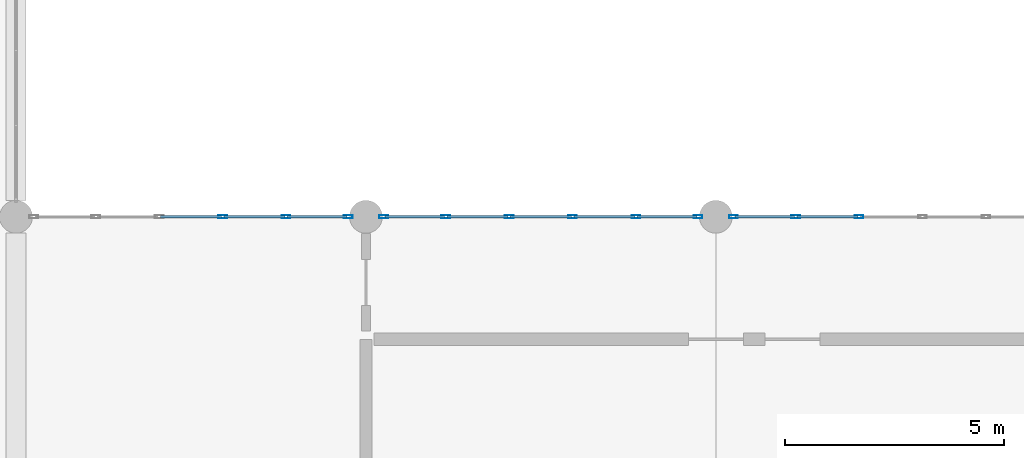
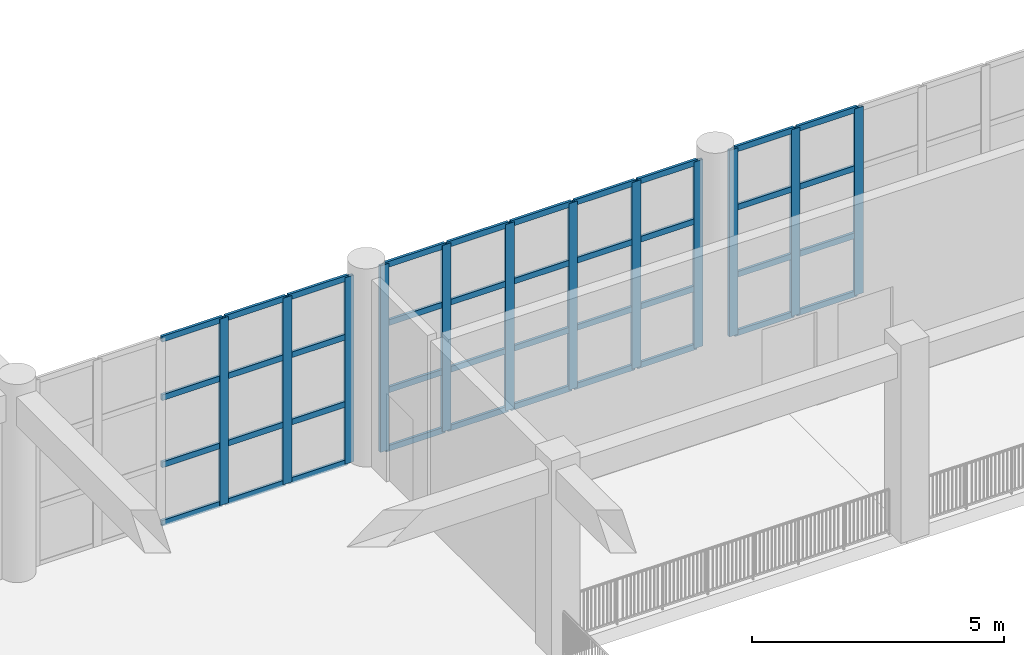
# One storey, part 11 of 101: 52 members, 3 elements without a shape of their own.
"""IFC4 building model written with IfcOpenShell, lengths in metres."""

import ifcopenshell
import ifcopenshell.guid

model = None  # the IFC model being written
_history = None  # IfcOwnerHistory: only IFC2X3 demands one
_inside = {}  # id of a spatial element -> (the spatial element, [elements in it])
_under = {}  # id of a project, library or spatial element -> (it, [spatial elements below it])
_declared = {}  # id of a project -> (the project, [libraries it declares])
_typed = {}  # id of a type object -> (the type object, [elements of that type])
_made_of = {}  # id of a material, layer set ... -> (it, [elements and type objects made of it])


def new_model(schema):
    """Start an empty IFC model of exactly this schema.

    Asked for "IFC4X3", IfcOpenShell would pick the latest addendum, in which some entities
    have other attributes; the version numbers below select the first issue.
    IFC2X3 requires an IfcOwnerHistory on every rooted entity: one is made here for all.
    """
    global model, _history
    if schema == "IFC4X3":
        model = ifcopenshell.file(schema_version=(4, 3, 0, 0))
    else:
        model = ifcopenshell.file(schema=schema)
    _inside.clear()
    _under.clear()
    _declared.clear()
    _typed.clear()
    _made_of.clear()
    _history = None
    if model.schema == "IFC2X3":
        org = make("IfcOrganization", Name="unknown")
        user = make(
            "IfcPersonAndOrganization",
            ThePerson=make("IfcPerson", FamilyName="unknown"),
            TheOrganization=org,
        )
        app = make(
            "IfcApplication",
            ApplicationDeveloper=org,
            Version="unknown",
            ApplicationFullName="unknown",
            ApplicationIdentifier="unknown",
        )
        _history = make(
            "IfcOwnerHistory",
            OwningUser=user,
            OwningApplication=app,
            ChangeAction="ADDED",
            CreationDate=0,
        )
    return model


def make(cls, **values):
    """One entity of the class cls with the attributes given. An attribute that is None is left unset."""
    return model.create_entity(
        cls, **{name: value for name, value in values.items() if value is not None}
    )


def rooted(cls, **values):
    """An entity with a GlobalId (a new one), such as an element, a storey or a relation."""
    return make(cls, GlobalId=ifcopenshell.guid.new(), OwnerHistory=_history, **values)


def si_unit(unit_type, name, prefix=None):
    """IfcSIUnit, for example si_unit("LENGTHUNIT", "METRE", prefix="MILLI")."""
    return make("IfcSIUnit", UnitType=unit_type, Prefix=prefix, Name=name)


def assignment(units):
    """IfcUnitAssignment: the units of a project."""
    return None if units is None else make("IfcUnitAssignment", Units=units)


def point(xyz):
    """IfcCartesianPoint."""
    return None if xyz is None else make("IfcCartesianPoint", Coordinates=xyz)


def direction(xyz):
    """IfcDirection."""
    return None if xyz is None else make("IfcDirection", DirectionRatios=xyz)


def frame(location, z_axis=None, x_axis=None):
    """IfcAxis2Placement3D, a coordinate frame: its origin and axes. An axis left out is left unset."""
    return make(
        "IfcAxis2Placement3D",
        Location=point(location),
        Axis=direction(z_axis),
        RefDirection=direction(x_axis),
    )


def frame_2d(location, x_axis=None):
    """IfcAxis2Placement2D, a coordinate frame in the plane: its origin and x axis."""
    return make(
        "IfcAxis2Placement2D", Location=point(location), RefDirection=direction(x_axis)
    )


def origin():
    """The frame at (0, 0, 0) with its axes left unset."""
    return frame((0.0, 0.0, 0.0))


def origin_2d():
    """The frame at (0, 0) in the plane with its x axis left unset."""
    return frame_2d((0.0, 0.0))


def place(relative_to, where):
    """IfcLocalPlacement: puts the frame where relative to a parent placement (None: the world)."""
    return make(
        "IfcLocalPlacement", PlacementRelTo=relative_to, RelativePlacement=where
    )


def context(
    kind, dimensions, precision=None, world=None, true_north=None, identifier=None
):
    """IfcGeometricRepresentationContext, for example the 3D "Model" context."""
    return make(
        "IfcGeometricRepresentationContext",
        ContextIdentifier=identifier,
        ContextType=kind,
        CoordinateSpaceDimension=dimensions,
        Precision=precision,
        WorldCoordinateSystem=world,
        TrueNorth=true_north,
    )


def subcontext(parent, identifier, kind, view, scale=None):
    """IfcGeometricRepresentationSubContext, for example "Body" below "Model"."""
    return make(
        "IfcGeometricRepresentationSubContext",
        ContextIdentifier=identifier,
        ContextType=kind,
        ParentContext=parent,
        TargetScale=scale,
        TargetView=view,
    )


def project(units=None, contexts=None):
    """IfcProject with its units and contexts."""
    return rooted(
        "IfcProject",
        Name="project",
        RepresentationContexts=contexts,
        UnitsInContext=assignment(units),
    )


def spatial(cls, under=None, at=None, **own):
    """A site, building, storey or space (cls), placed at a placement, below another one or the project."""
    s = rooted(cls, ObjectPlacement=at, **own)
    if under is not None:
        _under.setdefault(under.id(), (under, []))[1].append(s)
    return s


def profile(cls, at=None, kind="AREA", **sizes):
    """A parametric profile (cls). Its sizes go by their IFC names, for example OverallWidth=200.0."""
    return make(cls, ProfileType=kind, Position=at, **sizes)


def hollow_rectangle(**sizes):
    """IfcRectangleHollowProfileDef."""
    return profile("IfcRectangleHollowProfileDef", **sizes)


def extrude(swept, where, along, depth):
    """IfcExtrudedAreaSolid: the profile swept, set in the frame where, extruded along a direction by depth."""
    return make(
        "IfcExtrudedAreaSolid",
        SweptArea=swept,
        Position=where,
        ExtrudedDirection=direction(along),
        Depth=depth,
    )


def shape(context_of_items, identifier, shape_type, items):
    """IfcShapeRepresentation: the items that make up one representation, for example the "Body"."""
    return make(
        "IfcShapeRepresentation",
        ContextOfItems=context_of_items,
        RepresentationIdentifier=identifier,
        RepresentationType=shape_type,
        Items=items,
    )


def material(Name=None, Category=None):
    """IfcMaterial."""
    return make("IfcMaterial", Name=Name, Category=Category)


def material_profile(
    of_material, cross_section, Name=None, Category=None, Priority=None
):
    """IfcMaterialProfile: a cross section and its material."""
    return make(
        "IfcMaterialProfile",
        Name=Name,
        Material=of_material,
        Profile=cross_section,
        Priority=Priority,
        Category=Category,
    )


def profile_set(profiles, Name=None, composite=None):
    """IfcMaterialProfileSet."""
    return make(
        "IfcMaterialProfileSet",
        Name=Name,
        MaterialProfiles=profiles,
        CompositeProfile=composite,
    )


def made_of(thing, what):
    """Note that an element or type object is made of a material, layer set ...; save() writes the relation."""
    if what is not None:
        _made_of.setdefault(what.id(), (what, []))[1].append(thing)
    return thing


def type_object(cls, material=None, **own):
    """A type object (cls), such as IfcWallType, which elements share."""
    return made_of(rooted(cls, **own), material)


def element(
    cls,
    number,
    at=None,
    inside=None,
    cuts=None,
    type_object=None,
    material=None,
    context=None,
    identifier="Body",
    shape_type=None,
    held_by="IfcProductDefinitionShape",
    body=None,
    shapes=None,
    **own,
):
    """One element of the class cls, such as IfcWall. Its Tag is "e" and its number.

    at: its placement. inside: the storey or other place that contains it. cuts: it is an
    opening in that element (IfcRelVoidsElement). A single representation is given by context,
    identifier, shape_type and body (its items); several are given by shapes. held_by: the class
    of the entity that holds the representations. save() writes the other relations.
    """
    e = rooted(cls, Tag="e%d" % number, ObjectPlacement=at, **own)
    if body is not None:
        shapes = [shape(context, identifier, shape_type, body)]
    if shapes is not None:
        e.Representation = make(held_by, Representations=shapes)
    if inside is not None:
        _inside.setdefault(inside.id(), (inside, []))[1].append(e)
    if cuts is not None:
        rooted(
            "IfcRelVoidsElement", RelatingBuildingElement=cuts, RelatedOpeningElement=e
        )
    if type_object is not None:
        _typed.setdefault(type_object.id(), (type_object, []))[1].append(e)
    return made_of(e, material)


def aggregate(whole, parts):
    """IfcRelAggregates: a whole, such as a stair, and the parts it consists of."""
    return rooted("IfcRelAggregates", RelatingObject=whole, RelatedObjects=parts)


def save(model, path):
    """Write the relations noted so far, then the file.

    IfcRelAggregates (storeys below a building ...), IfcRelContainedInSpatialStructure (elements
    in a storey), IfcRelDefinesByType, IfcRelAssociatesMaterial and IfcRelDeclares: one each for
    every whole, place, type object, material and project.
    """
    for whole, parts in _under.values():
        aggregate(whole, parts)
    for where, things in _inside.values():
        rooted(
            "IfcRelContainedInSpatialStructure",
            RelatedElements=things,
            RelatingStructure=where,
        )
    for kind, things in _typed.values():
        rooted("IfcRelDefinesByType", RelatedObjects=things, RelatingType=kind)
    for what, things in _made_of.values():
        rooted("IfcRelAssociatesMaterial", RelatedObjects=things, RelatingMaterial=what)
    for by, libraries in _declared.values():
        rooted("IfcRelDeclares", RelatingContext=by, RelatedDefinitions=libraries)
    model.write(path)


model = new_model("IFC4")

# Units and contexts
model_context = context("Model", 3, precision=1e-05, world=origin(), true_north=direction((0.0, 1.0)))
body_context = subcontext(model_context, "Body", "Model", "MODEL_VIEW")
ifc_project = project(units=[si_unit("LENGTHUNIT", "METRE"), si_unit("AREAUNIT", "SQUARE_METRE"), si_unit("VOLUMEUNIT", "CUBIC_METRE"), si_unit("PLANEANGLEUNIT", "RADIAN"), si_unit("MASSUNIT", "GRAM", prefix="KILO")], contexts=[model_context])

# Site, building, storey
site_placement = place(None, origin())
site = spatial("IfcSite", under=ifc_project, at=site_placement, CompositionType="ELEMENT")
building_placement = place(site_placement, origin())
building = spatial("IfcBuilding", under=site, at=building_placement, Name="Zantavel Square City Hall", CompositionType="ELEMENT")
storey_placement = place(building_placement, frame((0.0, 0.0, 5.39990234375)))
storey = spatial("IfcBuildingStorey", under=building, at=storey_placement, Name="L02", CompositionType="ELEMENT", Elevation=5.39990234375)

# Curtain wall, members
ifc_material = material(Name="Anodised aluminium 6063-T6", Category="aluminium")
curtain_wall_type = type_object("IfcCurtainWallType", Name="Curtain Wall CRT 7250x4520", PredefinedType="USERDEFINED", material=ifc_material)
curtain_wall_1_placement = place(storey_placement, origin())
curtain_wall_1 = element("IfcCurtainWall", 1, at=curtain_wall_1_placement, inside=storey, type_object=curtain_wall_type, Name="L02 Glazed Curtain Wall CW-L02-073", ObjectType="GLAZED CURTAIN WALL", PredefinedType="USERDEFINED")
ifc_material_profile_1 = material_profile(ifc_material, hollow_rectangle(XDim=0.070068359375, YDim=0.199951171875, WallThickness=0.00439453125, at=origin_2d()), Name="ALU 70x200x4.5")
ifc_profile_set_1 = profile_set([ifc_material_profile_1], Name="Anodised aluminium 6063-T6")
member_type_1 = type_object("IfcMemberType", Name="CW Heavy Hall Mullion ALU 70x200x4.5", PredefinedType="MULLION", material=ifc_profile_set_1)
member_1_placement = place(storey_placement, frame((20.72509765625, 38.0, 0.0), z_axis=(0.0, 0.0, 1.0), x_axis=(0.0, 1.0, 0.0)))
member_1 = element("IfcMember", 2, at=member_1_placement, type_object=member_type_1, Name="CW-073 mullion 4", PredefinedType="MULLION", context=body_context, shape_type="SweptSolid", body=[
    extrude(hollow_rectangle(XDim=0.070068359375, YDim=0.199951171875, WallThickness=0.00439453125, at=origin_2d()), origin(), (0.0, 0.0, 1.0), 4.52001953125),
])
member_2_placement = place(storey_placement, frame((22.175048828125, 38.0, 0.0), z_axis=(0.0, 0.0, 1.0), x_axis=(0.0, 1.0, 0.0)))
member_2 = element("IfcMember", 3, at=member_2_placement, type_object=member_type_1, Name="CW-073 mullion 5", PredefinedType="MULLION", context=body_context, shape_type="SweptSolid", body=[
    extrude(hollow_rectangle(XDim=0.070068359375, YDim=0.199951171875, WallThickness=0.00439453125, at=origin_2d()), origin(), (0.0, 0.0, 1.0), 4.52001953125),
])
member_3_placement = place(storey_placement, frame((23.594970703125, 38.0, 0.0), z_axis=(0.0, 0.0, 1.0), x_axis=(0.0, 1.0, 0.0)))
member_3 = element("IfcMember", 4, at=member_3_placement, type_object=member_type_1, Name="CW-073 mullion 6", PredefinedType="MULLION", context=body_context, shape_type="SweptSolid", body=[
    extrude(hollow_rectangle(XDim=0.070068359375, YDim=0.199951171875, WallThickness=0.00439453125, at=origin_2d()), origin(), (0.0, 0.0, 1.0), 4.52001953125),
])

curtain_wall_2_placement = place(storey_placement, origin())
curtain_wall_2 = element("IfcCurtainWall", 5, at=curtain_wall_2_placement, inside=storey, type_object=curtain_wall_type, Name="L02 Glazed Curtain Wall CW-L02-074", ObjectType="GLAZED CURTAIN WALL", PredefinedType="USERDEFINED")
member_4_placement = place(storey_placement, frame((24.405029296875, 38.0, 0.0), z_axis=(0.0, 0.0, 1.0), x_axis=(0.0, 1.0, 0.0)))
member_4 = element("IfcMember", 6, at=member_4_placement, type_object=member_type_1, Name="CW-074 mullion 1", PredefinedType="MULLION", context=body_context, shape_type="SweptSolid", body=[
    extrude(hollow_rectangle(XDim=0.070068359375, YDim=0.199951171875, WallThickness=0.00439453125, at=origin_2d()), origin(), (0.0, 0.0, 1.0), 4.52001953125),
])
member_5_placement = place(storey_placement, frame((25.824951171875, 38.0, 0.0), z_axis=(0.0, 0.0, 1.0), x_axis=(0.0, 1.0, 0.0)))
member_5 = element("IfcMember", 7, at=member_5_placement, type_object=member_type_1, Name="CW-074 mullion 2", PredefinedType="MULLION", context=body_context, shape_type="SweptSolid", body=[
    extrude(hollow_rectangle(XDim=0.070068359375, YDim=0.199951171875, WallThickness=0.00439453125, at=origin_2d()), origin(), (0.0, 0.0, 1.0), 4.52001953125),
])
member_6_placement = place(storey_placement, frame((27.27490234375, 38.0, 0.0), z_axis=(0.0, 0.0, 1.0), x_axis=(0.0, 1.0, 0.0)))
member_6 = element("IfcMember", 8, at=member_6_placement, type_object=member_type_1, Name="CW-074 mullion 3", PredefinedType="MULLION", context=body_context, shape_type="SweptSolid", body=[
    extrude(hollow_rectangle(XDim=0.070068359375, YDim=0.199951171875, WallThickness=0.00439453125, at=origin_2d()), origin(), (0.0, 0.0, 1.0), 4.52001953125),
])
member_7_placement = place(storey_placement, frame((28.72509765625, 38.0, 0.0), z_axis=(0.0, 0.0, 1.0), x_axis=(0.0, 1.0, 0.0)))
member_7 = element("IfcMember", 9, at=member_7_placement, type_object=member_type_1, Name="CW-074 mullion 4", PredefinedType="MULLION", context=body_context, shape_type="SweptSolid", body=[
    extrude(hollow_rectangle(XDim=0.070068359375, YDim=0.199951171875, WallThickness=0.00439453125, at=origin_2d()), origin(), (0.0, 0.0, 1.0), 4.52001953125),
])
member_8_placement = place(storey_placement, frame((30.175048828125, 38.0, 0.0), z_axis=(0.0, 0.0, 1.0), x_axis=(0.0, 1.0, 0.0)))
member_8 = element("IfcMember", 10, at=member_8_placement, type_object=member_type_1, Name="CW-074 mullion 5", PredefinedType="MULLION", context=body_context, shape_type="SweptSolid", body=[
    extrude(hollow_rectangle(XDim=0.070068359375, YDim=0.199951171875, WallThickness=0.00439453125, at=origin_2d()), origin(), (0.0, 0.0, 1.0), 4.52001953125),
])
member_9_placement = place(storey_placement, frame((31.594970703125, 38.0, 0.0), z_axis=(0.0, 0.0, 1.0), x_axis=(0.0, 1.0, 0.0)))
member_9 = element("IfcMember", 11, at=member_9_placement, type_object=member_type_1, Name="CW-074 mullion 6", PredefinedType="MULLION", context=body_context, shape_type="SweptSolid", body=[
    extrude(hollow_rectangle(XDim=0.070068359375, YDim=0.199951171875, WallThickness=0.00439453125, at=origin_2d()), origin(), (0.0, 0.0, 1.0), 4.52001953125),
])

curtain_wall_3_placement = place(storey_placement, origin())
curtain_wall_3 = element("IfcCurtainWall", 12, at=curtain_wall_3_placement, inside=storey, type_object=curtain_wall_type, Name="L02 Glazed Curtain Wall CW-L02-075", ObjectType="GLAZED CURTAIN WALL", PredefinedType="USERDEFINED")
member_10_placement = place(storey_placement, frame((32.405029296875, 38.0, 0.0), z_axis=(0.0, 0.0, 1.0), x_axis=(0.0, 1.0, 0.0)))
member_10 = element("IfcMember", 13, at=member_10_placement, type_object=member_type_1, Name="CW-075 mullion 1", PredefinedType="MULLION", context=body_context, shape_type="SweptSolid", body=[
    extrude(hollow_rectangle(XDim=0.070068359375, YDim=0.199951171875, WallThickness=0.00439453125, at=origin_2d()), origin(), (0.0, 0.0, 1.0), 4.52001953125),
])
member_11_placement = place(storey_placement, frame((33.824951171875, 38.0, 0.0), z_axis=(0.0, 0.0, 1.0), x_axis=(0.0, 1.0, 0.0)))
member_11 = element("IfcMember", 14, at=member_11_placement, type_object=member_type_1, Name="CW-075 mullion 2", PredefinedType="MULLION", context=body_context, shape_type="SweptSolid", body=[
    extrude(hollow_rectangle(XDim=0.070068359375, YDim=0.199951171875, WallThickness=0.00439453125, at=origin_2d()), origin(), (0.0, 0.0, 1.0), 4.52001953125),
])
member_12_placement = place(storey_placement, frame((35.27490234375, 38.0, 0.0), z_axis=(0.0, 0.0, 1.0), x_axis=(0.0, 1.0, 0.0)))
member_12 = element("IfcMember", 15, at=member_12_placement, type_object=member_type_1, Name="CW-075 mullion 3", PredefinedType="MULLION", context=body_context, shape_type="SweptSolid", body=[
    extrude(hollow_rectangle(XDim=0.070068359375, YDim=0.199951171875, WallThickness=0.00439453125, at=origin_2d()), origin(), (0.0, 0.0, 1.0), 4.52001953125),
])

# Member
ifc_material_profile_2 = material_profile(ifc_material, hollow_rectangle(XDim=0.06005859375, YDim=0.139892578125, WallThickness=0.00390625, at=origin_2d()), Name="ALU 60x140x4")
ifc_profile_set_2 = profile_set([ifc_material_profile_2], Name="Anodised aluminium 6063-T6")
member_type_2 = type_object("IfcMemberType", Name="CW Transom ALU 60x140x4", PredefinedType="USERDEFINED", material=ifc_profile_set_2)
member_13_placement = place(storey_placement, frame((19.304931640625, 38.0, 0.030029296875), z_axis=(1.0, 0.0, 0.0), x_axis=(0.0, 1.0, 0.0)))
member_13 = element("IfcMember", 16, at=member_13_placement, type_object=member_type_2, Name="CW-073 transom 3.1", ObjectType="TRANSOM", PredefinedType="USERDEFINED", context=body_context, shape_type="SweptSolid", body=[
    extrude(hollow_rectangle(XDim=0.06005859375, YDim=0.139892578125, WallThickness=0.00390625, at=origin_2d()), origin(), (0.0, 0.0, 1.0), 1.39013671875),
])

member_14_placement = place(storey_placement, frame((19.304931640625, 38.0, 1.446044921875), z_axis=(1.0, 0.0, 0.0), x_axis=(0.0, 1.0, 0.0)))
member_14 = element("IfcMember", 17, at=member_14_placement, type_object=member_type_2, Name="CW-073 transom 3.2", ObjectType="TRANSOM", PredefinedType="USERDEFINED", context=body_context, shape_type="SweptSolid", body=[
    extrude(hollow_rectangle(XDim=0.06005859375, YDim=0.139892578125, WallThickness=0.00390625, at=origin_2d()), origin(), (0.0, 0.0, 1.0), 1.39013671875),
])

member_15_placement = place(storey_placement, frame((19.304931640625, 38.0, 3.07421875), z_axis=(1.0, 0.0, 0.0), x_axis=(0.0, 1.0, 0.0)))
member_15 = element("IfcMember", 18, at=member_15_placement, type_object=member_type_2, Name="CW-073 transom 3.3", ObjectType="TRANSOM", PredefinedType="USERDEFINED", context=body_context, shape_type="SweptSolid", body=[
    extrude(hollow_rectangle(XDim=0.06005859375, YDim=0.139892578125, WallThickness=0.00390625, at=origin_2d()), origin(), (0.0, 0.0, 1.0), 1.39013671875),
])

member_16_placement = place(storey_placement, frame((19.304931640625, 38.0, 4.489990234375), z_axis=(1.0, 0.0, 0.0), x_axis=(0.0, 1.0, 0.0)))
member_16 = element("IfcMember", 19, at=member_16_placement, type_object=member_type_2, Name="CW-073 transom 3.4", ObjectType="TRANSOM", PredefinedType="USERDEFINED", context=body_context, shape_type="SweptSolid", body=[
    extrude(hollow_rectangle(XDim=0.06005859375, YDim=0.139892578125, WallThickness=0.00390625, at=origin_2d()), origin(), (0.0, 0.0, 1.0), 1.39013671875),
])

member_17_placement = place(storey_placement, frame((20.7548828125, 38.0, 0.030029296875), z_axis=(1.0, 0.0, 0.0), x_axis=(0.0, 1.0, 0.0)))
member_17 = element("IfcMember", 20, at=member_17_placement, type_object=member_type_2, Name="CW-073 transom 4.1", ObjectType="TRANSOM", PredefinedType="USERDEFINED", context=body_context, shape_type="SweptSolid", body=[
    extrude(hollow_rectangle(XDim=0.06005859375, YDim=0.139892578125, WallThickness=0.00390625, at=origin_2d()), origin(), (0.0, 0.0, 1.0), 1.39013671875),
])

member_18_placement = place(storey_placement, frame((20.7548828125, 38.0, 1.446044921875), z_axis=(1.0, 0.0, 0.0), x_axis=(0.0, 1.0, 0.0)))
member_18 = element("IfcMember", 21, at=member_18_placement, type_object=member_type_2, Name="CW-073 transom 4.2", ObjectType="TRANSOM", PredefinedType="USERDEFINED", context=body_context, shape_type="SweptSolid", body=[
    extrude(hollow_rectangle(XDim=0.06005859375, YDim=0.139892578125, WallThickness=0.00390625, at=origin_2d()), origin(), (0.0, 0.0, 1.0), 1.39013671875),
])

member_19_placement = place(storey_placement, frame((20.7548828125, 38.0, 3.07421875), z_axis=(1.0, 0.0, 0.0), x_axis=(0.0, 1.0, 0.0)))
member_19 = element("IfcMember", 22, at=member_19_placement, type_object=member_type_2, Name="CW-073 transom 4.3", ObjectType="TRANSOM", PredefinedType="USERDEFINED", context=body_context, shape_type="SweptSolid", body=[
    extrude(hollow_rectangle(XDim=0.06005859375, YDim=0.139892578125, WallThickness=0.00390625, at=origin_2d()), origin(), (0.0, 0.0, 1.0), 1.39013671875),
])

member_20_placement = place(storey_placement, frame((20.7548828125, 38.0, 4.489990234375), z_axis=(1.0, 0.0, 0.0), x_axis=(0.0, 1.0, 0.0)))
member_20 = element("IfcMember", 23, at=member_20_placement, type_object=member_type_2, Name="CW-073 transom 4.4", ObjectType="TRANSOM", PredefinedType="USERDEFINED", context=body_context, shape_type="SweptSolid", body=[
    extrude(hollow_rectangle(XDim=0.06005859375, YDim=0.139892578125, WallThickness=0.00390625, at=origin_2d()), origin(), (0.0, 0.0, 1.0), 1.39013671875),
])

member_21_placement = place(storey_placement, frame((22.205078125, 38.0, 0.030029296875), z_axis=(1.0, 0.0, 0.0), x_axis=(0.0, 1.0, 0.0)))
member_21 = element("IfcMember", 24, at=member_21_placement, type_object=member_type_2, Name="CW-073 transom 5.1", ObjectType="TRANSOM", PredefinedType="USERDEFINED", context=body_context, shape_type="SweptSolid", body=[
    extrude(hollow_rectangle(XDim=0.06005859375, YDim=0.139892578125, WallThickness=0.00390625, at=origin_2d()), origin(), (0.0, 0.0, 1.0), 1.35986328125),
])

member_22_placement = place(storey_placement, frame((22.205078125, 38.0, 1.446044921875), z_axis=(1.0, 0.0, 0.0), x_axis=(0.0, 1.0, 0.0)))
member_22 = element("IfcMember", 25, at=member_22_placement, type_object=member_type_2, Name="CW-073 transom 5.2", ObjectType="TRANSOM", PredefinedType="USERDEFINED", context=body_context, shape_type="SweptSolid", body=[
    extrude(hollow_rectangle(XDim=0.06005859375, YDim=0.139892578125, WallThickness=0.00390625, at=origin_2d()), origin(), (0.0, 0.0, 1.0), 1.35986328125),
])

member_23_placement = place(storey_placement, frame((22.205078125, 38.0, 3.07421875), z_axis=(1.0, 0.0, 0.0), x_axis=(0.0, 1.0, 0.0)))
member_23 = element("IfcMember", 26, at=member_23_placement, type_object=member_type_2, Name="CW-073 transom 5.3", ObjectType="TRANSOM", PredefinedType="USERDEFINED", context=body_context, shape_type="SweptSolid", body=[
    extrude(hollow_rectangle(XDim=0.06005859375, YDim=0.139892578125, WallThickness=0.00390625, at=origin_2d()), origin(), (0.0, 0.0, 1.0), 1.35986328125),
])

member_24_placement = place(storey_placement, frame((22.205078125, 38.0, 4.489990234375), z_axis=(1.0, 0.0, 0.0), x_axis=(0.0, 1.0, 0.0)))
member_24 = element("IfcMember", 27, at=member_24_placement, type_object=member_type_2, Name="CW-073 transom 5.4", ObjectType="TRANSOM", PredefinedType="USERDEFINED", context=body_context, shape_type="SweptSolid", body=[
    extrude(hollow_rectangle(XDim=0.06005859375, YDim=0.139892578125, WallThickness=0.00390625, at=origin_2d()), origin(), (0.0, 0.0, 1.0), 1.35986328125),
])

aggregate(curtain_wall_1, [member_1, member_2, member_3, member_13, member_14, member_15, member_16, member_17, member_18, member_19, member_20, member_21, member_22, member_23, member_24])

member_25_placement = place(storey_placement, frame((24.43505859375, 38.0, 0.030029296875), z_axis=(1.0, 0.0, 0.0), x_axis=(0.0, 1.0, 0.0)))
member_25 = element("IfcMember", 28, at=member_25_placement, type_object=member_type_2, Name="CW-074 transom 1.1", ObjectType="TRANSOM", PredefinedType="USERDEFINED", context=body_context, shape_type="SweptSolid", body=[
    extrude(hollow_rectangle(XDim=0.06005859375, YDim=0.139892578125, WallThickness=0.00390625, at=origin_2d()), origin(), (0.0, 0.0, 1.0), 1.35986328125),
])

member_26_placement = place(storey_placement, frame((24.43505859375, 38.0, 1.446044921875), z_axis=(1.0, 0.0, 0.0), x_axis=(0.0, 1.0, 0.0)))
member_26 = element("IfcMember", 29, at=member_26_placement, type_object=member_type_2, Name="CW-074 transom 1.2", ObjectType="TRANSOM", PredefinedType="USERDEFINED", context=body_context, shape_type="SweptSolid", body=[
    extrude(hollow_rectangle(XDim=0.06005859375, YDim=0.139892578125, WallThickness=0.00390625, at=origin_2d()), origin(), (0.0, 0.0, 1.0), 1.35986328125),
])

member_27_placement = place(storey_placement, frame((24.43505859375, 38.0, 3.07421875), z_axis=(1.0, 0.0, 0.0), x_axis=(0.0, 1.0, 0.0)))
member_27 = element("IfcMember", 30, at=member_27_placement, type_object=member_type_2, Name="CW-074 transom 1.3", ObjectType="TRANSOM", PredefinedType="USERDEFINED", context=body_context, shape_type="SweptSolid", body=[
    extrude(hollow_rectangle(XDim=0.06005859375, YDim=0.139892578125, WallThickness=0.00390625, at=origin_2d()), origin(), (0.0, 0.0, 1.0), 1.35986328125),
])

member_28_placement = place(storey_placement, frame((24.43505859375, 38.0, 4.489990234375), z_axis=(1.0, 0.0, 0.0), x_axis=(0.0, 1.0, 0.0)))
member_28 = element("IfcMember", 31, at=member_28_placement, type_object=member_type_2, Name="CW-074 transom 1.4", ObjectType="TRANSOM", PredefinedType="USERDEFINED", context=body_context, shape_type="SweptSolid", body=[
    extrude(hollow_rectangle(XDim=0.06005859375, YDim=0.139892578125, WallThickness=0.00390625, at=origin_2d()), origin(), (0.0, 0.0, 1.0), 1.35986328125),
])

member_29_placement = place(storey_placement, frame((25.85498046875, 38.0, 0.030029296875), z_axis=(1.0, 0.0, 0.0), x_axis=(0.0, 1.0, 0.0)))
member_29 = element("IfcMember", 32, at=member_29_placement, type_object=member_type_2, Name="CW-074 transom 2.1", ObjectType="TRANSOM", PredefinedType="USERDEFINED", context=body_context, shape_type="SweptSolid", body=[
    extrude(hollow_rectangle(XDim=0.06005859375, YDim=0.139892578125, WallThickness=0.00390625, at=origin_2d()), origin(), (0.0, 0.0, 1.0), 1.39013671875),
])

member_30_placement = place(storey_placement, frame((25.85498046875, 38.0, 1.446044921875), z_axis=(1.0, 0.0, 0.0), x_axis=(0.0, 1.0, 0.0)))
member_30 = element("IfcMember", 33, at=member_30_placement, type_object=member_type_2, Name="CW-074 transom 2.2", ObjectType="TRANSOM", PredefinedType="USERDEFINED", context=body_context, shape_type="SweptSolid", body=[
    extrude(hollow_rectangle(XDim=0.06005859375, YDim=0.139892578125, WallThickness=0.00390625, at=origin_2d()), origin(), (0.0, 0.0, 1.0), 1.39013671875),
])

member_31_placement = place(storey_placement, frame((25.85498046875, 38.0, 3.07421875), z_axis=(1.0, 0.0, 0.0), x_axis=(0.0, 1.0, 0.0)))
member_31 = element("IfcMember", 34, at=member_31_placement, type_object=member_type_2, Name="CW-074 transom 2.3", ObjectType="TRANSOM", PredefinedType="USERDEFINED", context=body_context, shape_type="SweptSolid", body=[
    extrude(hollow_rectangle(XDim=0.06005859375, YDim=0.139892578125, WallThickness=0.00390625, at=origin_2d()), origin(), (0.0, 0.0, 1.0), 1.39013671875),
])

member_32_placement = place(storey_placement, frame((25.85498046875, 38.0, 4.489990234375), z_axis=(1.0, 0.0, 0.0), x_axis=(0.0, 1.0, 0.0)))
member_32 = element("IfcMember", 35, at=member_32_placement, type_object=member_type_2, Name="CW-074 transom 2.4", ObjectType="TRANSOM", PredefinedType="USERDEFINED", context=body_context, shape_type="SweptSolid", body=[
    extrude(hollow_rectangle(XDim=0.06005859375, YDim=0.139892578125, WallThickness=0.00390625, at=origin_2d()), origin(), (0.0, 0.0, 1.0), 1.39013671875),
])

member_33_placement = place(storey_placement, frame((27.304931640625, 38.0, 0.030029296875), z_axis=(1.0, 0.0, 0.0), x_axis=(0.0, 1.0, 0.0)))
member_33 = element("IfcMember", 36, at=member_33_placement, type_object=member_type_2, Name="CW-074 transom 3.1", ObjectType="TRANSOM", PredefinedType="USERDEFINED", context=body_context, shape_type="SweptSolid", body=[
    extrude(hollow_rectangle(XDim=0.06005859375, YDim=0.139892578125, WallThickness=0.00390625, at=origin_2d()), origin(), (0.0, 0.0, 1.0), 1.39013671875),
])

member_34_placement = place(storey_placement, frame((27.304931640625, 38.0, 1.446044921875), z_axis=(1.0, 0.0, 0.0), x_axis=(0.0, 1.0, 0.0)))
member_34 = element("IfcMember", 37, at=member_34_placement, type_object=member_type_2, Name="CW-074 transom 3.2", ObjectType="TRANSOM", PredefinedType="USERDEFINED", context=body_context, shape_type="SweptSolid", body=[
    extrude(hollow_rectangle(XDim=0.06005859375, YDim=0.139892578125, WallThickness=0.00390625, at=origin_2d()), origin(), (0.0, 0.0, 1.0), 1.39013671875),
])

member_35_placement = place(storey_placement, frame((27.304931640625, 38.0, 3.07421875), z_axis=(1.0, 0.0, 0.0), x_axis=(0.0, 1.0, 0.0)))
member_35 = element("IfcMember", 38, at=member_35_placement, type_object=member_type_2, Name="CW-074 transom 3.3", ObjectType="TRANSOM", PredefinedType="USERDEFINED", context=body_context, shape_type="SweptSolid", body=[
    extrude(hollow_rectangle(XDim=0.06005859375, YDim=0.139892578125, WallThickness=0.00390625, at=origin_2d()), origin(), (0.0, 0.0, 1.0), 1.39013671875),
])

member_36_placement = place(storey_placement, frame((27.304931640625, 38.0, 4.489990234375), z_axis=(1.0, 0.0, 0.0), x_axis=(0.0, 1.0, 0.0)))
member_36 = element("IfcMember", 39, at=member_36_placement, type_object=member_type_2, Name="CW-074 transom 3.4", ObjectType="TRANSOM", PredefinedType="USERDEFINED", context=body_context, shape_type="SweptSolid", body=[
    extrude(hollow_rectangle(XDim=0.06005859375, YDim=0.139892578125, WallThickness=0.00390625, at=origin_2d()), origin(), (0.0, 0.0, 1.0), 1.39013671875),
])

member_37_placement = place(storey_placement, frame((28.7548828125, 38.0, 0.030029296875), z_axis=(1.0, 0.0, 0.0), x_axis=(0.0, 1.0, 0.0)))
member_37 = element("IfcMember", 40, at=member_37_placement, type_object=member_type_2, Name="CW-074 transom 4.1", ObjectType="TRANSOM", PredefinedType="USERDEFINED", context=body_context, shape_type="SweptSolid", body=[
    extrude(hollow_rectangle(XDim=0.06005859375, YDim=0.139892578125, WallThickness=0.00390625, at=origin_2d()), origin(), (0.0, 0.0, 1.0), 1.39013671875),
])

member_38_placement = place(storey_placement, frame((28.7548828125, 38.0, 1.446044921875), z_axis=(1.0, 0.0, 0.0), x_axis=(0.0, 1.0, 0.0)))
member_38 = element("IfcMember", 41, at=member_38_placement, type_object=member_type_2, Name="CW-074 transom 4.2", ObjectType="TRANSOM", PredefinedType="USERDEFINED", context=body_context, shape_type="SweptSolid", body=[
    extrude(hollow_rectangle(XDim=0.06005859375, YDim=0.139892578125, WallThickness=0.00390625, at=origin_2d()), origin(), (0.0, 0.0, 1.0), 1.39013671875),
])

member_39_placement = place(storey_placement, frame((28.7548828125, 38.0, 3.07421875), z_axis=(1.0, 0.0, 0.0), x_axis=(0.0, 1.0, 0.0)))
member_39 = element("IfcMember", 42, at=member_39_placement, type_object=member_type_2, Name="CW-074 transom 4.3", ObjectType="TRANSOM", PredefinedType="USERDEFINED", context=body_context, shape_type="SweptSolid", body=[
    extrude(hollow_rectangle(XDim=0.06005859375, YDim=0.139892578125, WallThickness=0.00390625, at=origin_2d()), origin(), (0.0, 0.0, 1.0), 1.39013671875),
])

member_40_placement = place(storey_placement, frame((28.7548828125, 38.0, 4.489990234375), z_axis=(1.0, 0.0, 0.0), x_axis=(0.0, 1.0, 0.0)))
member_40 = element("IfcMember", 43, at=member_40_placement, type_object=member_type_2, Name="CW-074 transom 4.4", ObjectType="TRANSOM", PredefinedType="USERDEFINED", context=body_context, shape_type="SweptSolid", body=[
    extrude(hollow_rectangle(XDim=0.06005859375, YDim=0.139892578125, WallThickness=0.00390625, at=origin_2d()), origin(), (0.0, 0.0, 1.0), 1.39013671875),
])

member_41_placement = place(storey_placement, frame((30.205078125, 38.0, 0.030029296875), z_axis=(1.0, 0.0, 0.0), x_axis=(0.0, 1.0, 0.0)))
member_41 = element("IfcMember", 44, at=member_41_placement, type_object=member_type_2, Name="CW-074 transom 5.1", ObjectType="TRANSOM", PredefinedType="USERDEFINED", context=body_context, shape_type="SweptSolid", body=[
    extrude(hollow_rectangle(XDim=0.06005859375, YDim=0.139892578125, WallThickness=0.00390625, at=origin_2d()), origin(), (0.0, 0.0, 1.0), 1.35986328125),
])

member_42_placement = place(storey_placement, frame((30.205078125, 38.0, 1.446044921875), z_axis=(1.0, 0.0, 0.0), x_axis=(0.0, 1.0, 0.0)))
member_42 = element("IfcMember", 45, at=member_42_placement, type_object=member_type_2, Name="CW-074 transom 5.2", ObjectType="TRANSOM", PredefinedType="USERDEFINED", context=body_context, shape_type="SweptSolid", body=[
    extrude(hollow_rectangle(XDim=0.06005859375, YDim=0.139892578125, WallThickness=0.00390625, at=origin_2d()), origin(), (0.0, 0.0, 1.0), 1.35986328125),
])

member_43_placement = place(storey_placement, frame((30.205078125, 38.0, 3.07421875), z_axis=(1.0, 0.0, 0.0), x_axis=(0.0, 1.0, 0.0)))
member_43 = element("IfcMember", 46, at=member_43_placement, type_object=member_type_2, Name="CW-074 transom 5.3", ObjectType="TRANSOM", PredefinedType="USERDEFINED", context=body_context, shape_type="SweptSolid", body=[
    extrude(hollow_rectangle(XDim=0.06005859375, YDim=0.139892578125, WallThickness=0.00390625, at=origin_2d()), origin(), (0.0, 0.0, 1.0), 1.35986328125),
])

member_44_placement = place(storey_placement, frame((30.205078125, 38.0, 4.489990234375), z_axis=(1.0, 0.0, 0.0), x_axis=(0.0, 1.0, 0.0)))
member_44 = element("IfcMember", 47, at=member_44_placement, type_object=member_type_2, Name="CW-074 transom 5.4", ObjectType="TRANSOM", PredefinedType="USERDEFINED", context=body_context, shape_type="SweptSolid", body=[
    extrude(hollow_rectangle(XDim=0.06005859375, YDim=0.139892578125, WallThickness=0.00390625, at=origin_2d()), origin(), (0.0, 0.0, 1.0), 1.35986328125),
])

aggregate(curtain_wall_2, [member_4, member_5, member_6, member_7, member_8, member_9, member_25, member_26, member_27, member_28, member_29, member_30, member_31, member_32, member_33, member_34, member_35, member_36, member_37, member_38, member_39, member_40, member_41, member_42, member_43, member_44])

member_45_placement = place(storey_placement, frame((32.43505859375, 38.0, 0.030029296875), z_axis=(1.0, 0.0, 0.0), x_axis=(0.0, 1.0, 0.0)))
member_45 = element("IfcMember", 48, at=member_45_placement, type_object=member_type_2, Name="CW-075 transom 1.1", ObjectType="TRANSOM", PredefinedType="USERDEFINED", context=body_context, shape_type="SweptSolid", body=[
    extrude(hollow_rectangle(XDim=0.06005859375, YDim=0.139892578125, WallThickness=0.00390625, at=origin_2d()), origin(), (0.0, 0.0, 1.0), 1.35986328125),
])

member_46_placement = place(storey_placement, frame((32.43505859375, 38.0, 1.446044921875), z_axis=(1.0, 0.0, 0.0), x_axis=(0.0, 1.0, 0.0)))
member_46 = element("IfcMember", 49, at=member_46_placement, type_object=member_type_2, Name="CW-075 transom 1.2", ObjectType="TRANSOM", PredefinedType="USERDEFINED", context=body_context, shape_type="SweptSolid", body=[
    extrude(hollow_rectangle(XDim=0.06005859375, YDim=0.139892578125, WallThickness=0.00390625, at=origin_2d()), origin(), (0.0, 0.0, 1.0), 1.35986328125),
])

member_47_placement = place(storey_placement, frame((32.43505859375, 38.0, 3.07421875), z_axis=(1.0, 0.0, 0.0), x_axis=(0.0, 1.0, 0.0)))
member_47 = element("IfcMember", 50, at=member_47_placement, type_object=member_type_2, Name="CW-075 transom 1.3", ObjectType="TRANSOM", PredefinedType="USERDEFINED", context=body_context, shape_type="SweptSolid", body=[
    extrude(hollow_rectangle(XDim=0.06005859375, YDim=0.139892578125, WallThickness=0.00390625, at=origin_2d()), origin(), (0.0, 0.0, 1.0), 1.35986328125),
])

member_48_placement = place(storey_placement, frame((32.43505859375, 38.0, 4.489990234375), z_axis=(1.0, 0.0, 0.0), x_axis=(0.0, 1.0, 0.0)))
member_48 = element("IfcMember", 51, at=member_48_placement, type_object=member_type_2, Name="CW-075 transom 1.4", ObjectType="TRANSOM", PredefinedType="USERDEFINED", context=body_context, shape_type="SweptSolid", body=[
    extrude(hollow_rectangle(XDim=0.06005859375, YDim=0.139892578125, WallThickness=0.00390625, at=origin_2d()), origin(), (0.0, 0.0, 1.0), 1.35986328125),
])

member_49_placement = place(storey_placement, frame((33.85498046875, 38.0, 0.030029296875), z_axis=(1.0, 0.0, 0.0), x_axis=(0.0, 1.0, 0.0)))
member_49 = element("IfcMember", 52, at=member_49_placement, type_object=member_type_2, Name="CW-075 transom 2.1", ObjectType="TRANSOM", PredefinedType="USERDEFINED", context=body_context, shape_type="SweptSolid", body=[
    extrude(hollow_rectangle(XDim=0.06005859375, YDim=0.139892578125, WallThickness=0.00390625, at=origin_2d()), origin(), (0.0, 0.0, 1.0), 1.39013671875),
])

member_50_placement = place(storey_placement, frame((33.85498046875, 38.0, 1.446044921875), z_axis=(1.0, 0.0, 0.0), x_axis=(0.0, 1.0, 0.0)))
member_50 = element("IfcMember", 53, at=member_50_placement, type_object=member_type_2, Name="CW-075 transom 2.2", ObjectType="TRANSOM", PredefinedType="USERDEFINED", context=body_context, shape_type="SweptSolid", body=[
    extrude(hollow_rectangle(XDim=0.06005859375, YDim=0.139892578125, WallThickness=0.00390625, at=origin_2d()), origin(), (0.0, 0.0, 1.0), 1.39013671875),
])

member_51_placement = place(storey_placement, frame((33.85498046875, 38.0, 3.07421875), z_axis=(1.0, 0.0, 0.0), x_axis=(0.0, 1.0, 0.0)))
member_51 = element("IfcMember", 54, at=member_51_placement, type_object=member_type_2, Name="CW-075 transom 2.3", ObjectType="TRANSOM", PredefinedType="USERDEFINED", context=body_context, shape_type="SweptSolid", body=[
    extrude(hollow_rectangle(XDim=0.06005859375, YDim=0.139892578125, WallThickness=0.00390625, at=origin_2d()), origin(), (0.0, 0.0, 1.0), 1.39013671875),
])

member_52_placement = place(storey_placement, frame((33.85498046875, 38.0, 4.489990234375), z_axis=(1.0, 0.0, 0.0), x_axis=(0.0, 1.0, 0.0)))
member_52 = element("IfcMember", 55, at=member_52_placement, type_object=member_type_2, Name="CW-075 transom 2.4", ObjectType="TRANSOM", PredefinedType="USERDEFINED", context=body_context, shape_type="SweptSolid", body=[
    extrude(hollow_rectangle(XDim=0.06005859375, YDim=0.139892578125, WallThickness=0.00390625, at=origin_2d()), origin(), (0.0, 0.0, 1.0), 1.39013671875),
])

aggregate(curtain_wall_3, [member_10, member_11, member_12, member_45, member_46, member_47, member_48, member_49, member_50, member_51, member_52])

save(model, "model.ifc")
